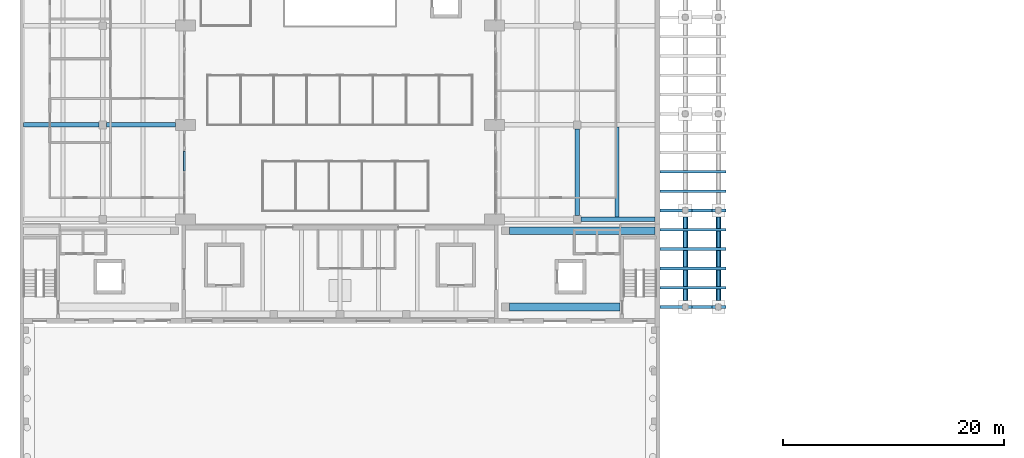
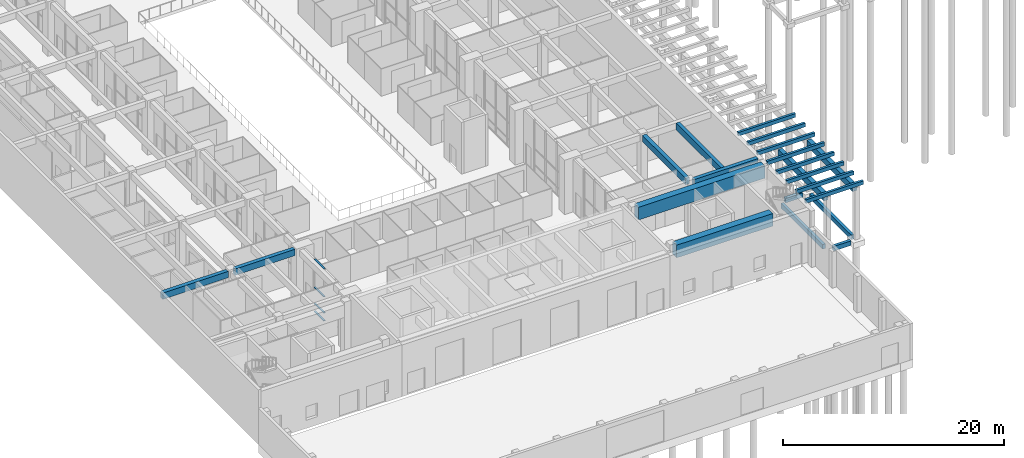
# One storey, part 12 of 51: 21 beams, 4 members, 1 element without a shape of its own.
"""IFC4 building model written with IfcOpenShell, lengths in metres."""

import ifcopenshell
import ifcopenshell.guid

model = None  # the IFC model being written
_history = None  # IfcOwnerHistory: only IFC2X3 demands one
_inside = {}  # id of a spatial element -> (the spatial element, [elements in it])
_under = {}  # id of a project, library or spatial element -> (it, [spatial elements below it])
_declared = {}  # id of a project -> (the project, [libraries it declares])
_typed = {}  # id of a type object -> (the type object, [elements of that type])
_made_of = {}  # id of a material, layer set ... -> (it, [elements and type objects made of it])


def new_model(schema):
    """Start an empty IFC model of exactly this schema.

    Asked for "IFC4X3", IfcOpenShell would pick the latest addendum, in which some entities
    have other attributes; the version numbers below select the first issue.
    IFC2X3 requires an IfcOwnerHistory on every rooted entity: one is made here for all.
    """
    global model, _history
    if schema == "IFC4X3":
        model = ifcopenshell.file(schema_version=(4, 3, 0, 0))
    else:
        model = ifcopenshell.file(schema=schema)
    _inside.clear()
    _under.clear()
    _declared.clear()
    _typed.clear()
    _made_of.clear()
    _history = None
    if model.schema == "IFC2X3":
        org = make("IfcOrganization", Name="unknown")
        user = make(
            "IfcPersonAndOrganization",
            ThePerson=make("IfcPerson", FamilyName="unknown"),
            TheOrganization=org,
        )
        app = make(
            "IfcApplication",
            ApplicationDeveloper=org,
            Version="unknown",
            ApplicationFullName="unknown",
            ApplicationIdentifier="unknown",
        )
        _history = make(
            "IfcOwnerHistory",
            OwningUser=user,
            OwningApplication=app,
            ChangeAction="ADDED",
            CreationDate=0,
        )
    return model


def make(cls, **values):
    """One entity of the class cls with the attributes given. An attribute that is None is left unset."""
    return model.create_entity(
        cls, **{name: value for name, value in values.items() if value is not None}
    )


def rooted(cls, **values):
    """An entity with a GlobalId (a new one), such as an element, a storey or a relation."""
    return make(cls, GlobalId=ifcopenshell.guid.new(), OwnerHistory=_history, **values)


def si_unit(unit_type, name, prefix=None):
    """IfcSIUnit, for example si_unit("LENGTHUNIT", "METRE", prefix="MILLI")."""
    return make("IfcSIUnit", UnitType=unit_type, Prefix=prefix, Name=name)


def assignment(units):
    """IfcUnitAssignment: the units of a project."""
    return None if units is None else make("IfcUnitAssignment", Units=units)


def point(xyz):
    """IfcCartesianPoint."""
    return None if xyz is None else make("IfcCartesianPoint", Coordinates=xyz)


def direction(xyz):
    """IfcDirection."""
    return None if xyz is None else make("IfcDirection", DirectionRatios=xyz)


def frame(location, z_axis=None, x_axis=None):
    """IfcAxis2Placement3D, a coordinate frame: its origin and axes. An axis left out is left unset."""
    return make(
        "IfcAxis2Placement3D",
        Location=point(location),
        Axis=direction(z_axis),
        RefDirection=direction(x_axis),
    )


def frame_2d(location, x_axis=None):
    """IfcAxis2Placement2D, a coordinate frame in the plane: its origin and x axis."""
    return make(
        "IfcAxis2Placement2D", Location=point(location), RefDirection=direction(x_axis)
    )


def origin():
    """The frame at (0, 0, 0) with its axes left unset."""
    return frame((0.0, 0.0, 0.0))


def origin_2d():
    """The frame at (0, 0) in the plane with its x axis left unset."""
    return frame_2d((0.0, 0.0))


def place(relative_to, where):
    """IfcLocalPlacement: puts the frame where relative to a parent placement (None: the world)."""
    return make(
        "IfcLocalPlacement", PlacementRelTo=relative_to, RelativePlacement=where
    )


def context(
    kind, dimensions, precision=None, world=None, true_north=None, identifier=None
):
    """IfcGeometricRepresentationContext, for example the 3D "Model" context."""
    return make(
        "IfcGeometricRepresentationContext",
        ContextIdentifier=identifier,
        ContextType=kind,
        CoordinateSpaceDimension=dimensions,
        Precision=precision,
        WorldCoordinateSystem=world,
        TrueNorth=true_north,
    )


def subcontext(parent, identifier, kind, view, scale=None):
    """IfcGeometricRepresentationSubContext, for example "Body" below "Model"."""
    return make(
        "IfcGeometricRepresentationSubContext",
        ContextIdentifier=identifier,
        ContextType=kind,
        ParentContext=parent,
        TargetScale=scale,
        TargetView=view,
    )


def project(units=None, contexts=None):
    """IfcProject with its units and contexts."""
    return rooted(
        "IfcProject",
        Name="project",
        RepresentationContexts=contexts,
        UnitsInContext=assignment(units),
    )


def spatial(cls, under=None, at=None, **own):
    """A site, building, storey or space (cls), placed at a placement, below another one or the project."""
    s = rooted(cls, ObjectPlacement=at, **own)
    if under is not None:
        _under.setdefault(under.id(), (under, []))[1].append(s)
    return s


def profile(cls, at=None, kind="AREA", **sizes):
    """A parametric profile (cls). Its sizes go by their IFC names, for example OverallWidth=200.0."""
    return make(cls, ProfileType=kind, Position=at, **sizes)


def rectangle(**sizes):
    """IfcRectangleProfileDef."""
    return profile("IfcRectangleProfileDef", **sizes)


def extrude(swept, where, along, depth):
    """IfcExtrudedAreaSolid: the profile swept, set in the frame where, extruded along a direction by depth."""
    return make(
        "IfcExtrudedAreaSolid",
        SweptArea=swept,
        Position=where,
        ExtrudedDirection=direction(along),
        Depth=depth,
    )


def shape(context_of_items, identifier, shape_type, items):
    """IfcShapeRepresentation: the items that make up one representation, for example the "Body"."""
    return make(
        "IfcShapeRepresentation",
        ContextOfItems=context_of_items,
        RepresentationIdentifier=identifier,
        RepresentationType=shape_type,
        Items=items,
    )


def material(Name=None, Category=None):
    """IfcMaterial."""
    return make("IfcMaterial", Name=Name, Category=Category)


def material_profile(
    of_material, cross_section, Name=None, Category=None, Priority=None
):
    """IfcMaterialProfile: a cross section and its material."""
    return make(
        "IfcMaterialProfile",
        Name=Name,
        Material=of_material,
        Profile=cross_section,
        Priority=Priority,
        Category=Category,
    )


def profile_set(profiles, Name=None, composite=None):
    """IfcMaterialProfileSet."""
    return make(
        "IfcMaterialProfileSet",
        Name=Name,
        MaterialProfiles=profiles,
        CompositeProfile=composite,
    )


def made_of(thing, what):
    """Note that an element or type object is made of a material, layer set ...; save() writes the relation."""
    if what is not None:
        _made_of.setdefault(what.id(), (what, []))[1].append(thing)
    return thing


def type_object(cls, material=None, **own):
    """A type object (cls), such as IfcWallType, which elements share."""
    return made_of(rooted(cls, **own), material)


def element(
    cls,
    number,
    at=None,
    inside=None,
    cuts=None,
    type_object=None,
    material=None,
    context=None,
    identifier="Body",
    shape_type=None,
    held_by="IfcProductDefinitionShape",
    body=None,
    shapes=None,
    **own,
):
    """One element of the class cls, such as IfcWall. Its Tag is "e" and its number.

    at: its placement. inside: the storey or other place that contains it. cuts: it is an
    opening in that element (IfcRelVoidsElement). A single representation is given by context,
    identifier, shape_type and body (its items); several are given by shapes. held_by: the class
    of the entity that holds the representations. save() writes the other relations.
    """
    e = rooted(cls, Tag="e%d" % number, ObjectPlacement=at, **own)
    if body is not None:
        shapes = [shape(context, identifier, shape_type, body)]
    if shapes is not None:
        e.Representation = make(held_by, Representations=shapes)
    if inside is not None:
        _inside.setdefault(inside.id(), (inside, []))[1].append(e)
    if cuts is not None:
        rooted(
            "IfcRelVoidsElement", RelatingBuildingElement=cuts, RelatedOpeningElement=e
        )
    if type_object is not None:
        _typed.setdefault(type_object.id(), (type_object, []))[1].append(e)
    return made_of(e, material)


def aggregate(whole, parts):
    """IfcRelAggregates: a whole, such as a stair, and the parts it consists of."""
    return rooted("IfcRelAggregates", RelatingObject=whole, RelatedObjects=parts)


def save(model, path):
    """Write the relations noted so far, then the file.

    IfcRelAggregates (storeys below a building ...), IfcRelContainedInSpatialStructure (elements
    in a storey), IfcRelDefinesByType, IfcRelAssociatesMaterial and IfcRelDeclares: one each for
    every whole, place, type object, material and project.
    """
    for whole, parts in _under.values():
        aggregate(whole, parts)
    for where, things in _inside.values():
        rooted(
            "IfcRelContainedInSpatialStructure",
            RelatedElements=things,
            RelatingStructure=where,
        )
    for kind, things in _typed.values():
        rooted("IfcRelDefinesByType", RelatedObjects=things, RelatingType=kind)
    for what, things in _made_of.values():
        rooted("IfcRelAssociatesMaterial", RelatedObjects=things, RelatingMaterial=what)
    for by, libraries in _declared.values():
        rooted("IfcRelDeclares", RelatingContext=by, RelatedDefinitions=libraries)
    model.write(path)


model = new_model("IFC4")

# Units and contexts
model_context = context("Model", 3, precision=1e-05, world=origin(), true_north=direction((0.0, 1.0)))
body_context = subcontext(model_context, "Body", "Model", "MODEL_VIEW")
ifc_project = project(units=[si_unit("LENGTHUNIT", "METRE"), si_unit("AREAUNIT", "SQUARE_METRE"), si_unit("VOLUMEUNIT", "CUBIC_METRE"), si_unit("PLANEANGLEUNIT", "RADIAN"), si_unit("MASSUNIT", "GRAM", prefix="KILO")], contexts=[model_context])

# Site, building, storey
site_placement = place(None, origin())
site = spatial("IfcSite", under=ifc_project, at=site_placement, CompositionType="ELEMENT")
building_placement = place(site_placement, origin())
building = spatial("IfcBuilding", under=site, at=building_placement, Name="Elmora Arch Market Hall", CompositionType="ELEMENT")
storey_placement = place(building_placement, origin())
storey = spatial("IfcBuildingStorey", under=building, at=storey_placement, Name="L00", CompositionType="ELEMENT", Elevation=0.0)

# Beams
ifc_material_1 = material(Name="Concrete C32/40", Category="concrete")
ifc_material_profile_1 = material_profile(ifc_material_1, rectangle(XDim=0.25, YDim=0.39990234375, at=origin_2d()), Name="Canopy joist 250x400")
ifc_profile_set_1 = profile_set([ifc_material_profile_1], Name="Concrete C32/40")
beam_type_1 = type_object("IfcBeamType", Name="Canopy joist 250x400", PredefinedType="JOIST", material=ifc_profile_set_1)
for number, where, z_axis, x_axis, name in (
    (1, (58.0, 19.5, 5.64990234375), (1.0, 0.0, 0.0), (0.0, 1.0, 0.0), "Canopy joist PE-J1 L00.1"),
    (2, (58.0, 21.25, 5.64990234375), (1.0, 0.0, 0.0), (0.0, 1.0, 0.0), "Canopy joist PE-J2 L00.1"),
    (3, (58.0, 23.0, 5.64990234375), (1.0, 0.0, 0.0), (0.0, 1.0, 0.0), "Canopy joist PE-J3 L00.1"),
    (4, (58.0, 24.75, 5.64990234375), (1.0, 0.0, 0.0), (0.0, 1.0, 0.0), "Canopy joist PE-J4 L00.1"),
    (5, (58.0, 26.5, 5.64990234375), (1.0, 0.0, 0.0), (0.0, 1.0, 0.0), "Canopy joist PE-J5 L00.1"),
    (6, (58.0, 28.25, 5.64990234375), (1.0, 0.0, 0.0), (0.0, 1.0, 0.0), "Canopy joist PE-J6 L00.1"),
    (7, (58.0, 30.0, 5.64990234375), (1.0, 0.0, 0.0), (0.0, 1.0, 0.0), "Canopy joist PE-J7 L00.1"),
    (8, (58.0, 31.75, 5.64990234375), (1.0, 0.0, 0.0), (0.0, 1.0, 0.0), "Canopy joist PE-J8 L00.1"),
):
    element("IfcBeam", number, at=place(storey_placement, frame(where, z_axis=z_axis, x_axis=x_axis)), inside=storey, type_object=beam_type_1, Name=name, PredefinedType="JOIST", context=body_context, shape_type="SweptSolid", body=[
        extrude(rectangle(XDim=0.25, YDim=0.39990234375, at=origin_2d()), origin(), (0.0, 0.0, 1.0), 6.0),
    ])
ifc_material_2 = material(Name="Concrete C32/40", Category="concrete")
ifc_material_profile_2 = material_profile(ifc_material_2, rectangle(XDim=0.699951171875, YDim=1.39990234375, at=origin_2d()), Name="Corner block girder 700x1400")
ifc_profile_set_2 = profile_set([ifc_material_profile_2], Name="Concrete C32/40")
beam_type_2 = type_object("IfcBeamType", Name="Corner block girder 700x1400", PredefinedType="BEAM", material=ifc_profile_set_2)
beam_1_placement = place(storey_placement, frame((44.35009765625, 19.5, 5.050048828125), z_axis=(1.0, 0.0, 0.0), x_axis=(0.0, 1.0, 0.0)))
element("IfcBeam", 9, at=beam_1_placement, inside=storey, type_object=beam_type_2, Name="Corner block girder SER1 L00.1", PredefinedType="BEAM", context=body_context, shape_type="SweptSolid", body=[
    extrude(rectangle(XDim=0.699951171875, YDim=1.39990234375, at=origin_2d()), origin(), (0.0, 0.0, 1.0), 10.0498046875),
])
beam_2_placement = place(storey_placement, frame((44.35009765625, 26.39990234375, 5.050048828125), z_axis=(1.0, 0.0, 0.0), x_axis=(0.0, 1.0, 0.0)))
element("IfcBeam", 10, at=beam_2_placement, inside=storey, type_object=beam_type_2, Name="Corner block girder SER2 L00.1", PredefinedType="BEAM", context=body_context, shape_type="SweptSolid", body=[
    extrude(rectangle(XDim=0.699951171875, YDim=1.39990234375, at=origin_2d()), origin(), (0.0, 0.0, 1.0), 13.199951171875),
])
ifc_material_3 = material(Name="Concrete C32/40", Category="concrete")
ifc_material_profile_3 = material_profile(ifc_material_3, rectangle(XDim=0.300048828125, YDim=0.5, at=origin_2d()), Name="Pad tie beam 300x500")
ifc_profile_set_3 = profile_set([ifc_material_profile_3], Name="Concrete C32/40")
beam_type_3 = type_object("IfcBeamType", Name="Pad tie beam 300x500", PredefinedType="BEAM", material=ifc_profile_set_3)
for number, where, z_axis, x_axis, name in (
    (11, (60.89990234375, 19.5, -0.550048828125), (1.0, 0.0, 0.0), (0.0, 1.0, 0.0), "Pad tie beam 033"),
    (12, (60.89990234375, 28.25, -0.550048828125), (1.0, 0.0, 0.0), (0.0, 1.0, 0.0), "Pad tie beam 034"),
):
    element("IfcBeam", number, at=place(storey_placement, frame(where, z_axis=z_axis, x_axis=x_axis)), inside=storey, type_object=beam_type_3, Name=name, PredefinedType="BEAM", context=body_context, shape_type="SweptSolid", body=[
        extrude(rectangle(XDim=0.300048828125, YDim=0.5, at=origin_2d()), origin(), (0.0, 0.0, 1.0), 1.800048828125),
    ])
for number, where, z_axis, x_axis, name in (
    (13, (60.300048828125, 20.10009765625, -0.550048828125), (0.0, 1.0, 0.0), (-1.0, 0.0, 0.0), "Pad tie beam 046"),
    (14, (63.300048828125, 20.10009765625, -0.550048828125), (0.0, 1.0, 0.0), (-1.0, 0.0, 0.0), "Pad tie beam 058"),
):
    element("IfcBeam", number, at=place(storey_placement, frame(where, z_axis=z_axis, x_axis=x_axis)), inside=storey, type_object=beam_type_3, Name=name, PredefinedType="BEAM", context=body_context, shape_type="SweptSolid", body=[
        extrude(rectangle(XDim=0.300048828125, YDim=0.5, at=origin_2d()), origin(), (0.0, 0.0, 1.0), 7.5498046875),
    ])
ifc_material_4 = material(Name="Concrete C32/40", Category="concrete")
ifc_material_profile_4 = material_profile(ifc_material_4, rectangle(XDim=0.449951171875, YDim=0.699951171875, at=origin_2d()), Name="Passage girder 450x700")
ifc_profile_set_4 = profile_set([ifc_material_profile_4], Name="Concrete C32/40")
beam_type_4 = type_object("IfcBeamType", Name="Passage girder 450x700", PredefinedType="BEAM", material=ifc_profile_set_4)
for number, where, z_axis, x_axis, name in (
    (15, (60.300048828125, 19.75, 5.10009765625), (0.0, 1.0, 0.0), (-1.0, 0.0, 0.0), "Passage girder PASS-E-G1 L00.1"),
    (16, (63.300048828125, 19.75, 5.10009765625), (0.0, 1.0, 0.0), (-1.0, 0.0, 0.0), "Passage girder PASS-E-G2 L00.1"),
):
    element("IfcBeam", number, at=place(storey_placement, frame(where, z_axis=z_axis, x_axis=x_axis)), inside=storey, type_object=beam_type_4, Name=name, PredefinedType="BEAM", context=body_context, shape_type="SweptSolid", body=[
        extrude(rectangle(XDim=0.449951171875, YDim=0.699951171875, at=origin_2d()), origin(), (0.0, 0.0, 1.0), 8.25),
    ])

# Curtain wall, members
ifc_material_5 = material(Name="Aluminium", Category="aluminium")
curtain_wall_type = type_object("IfcCurtainWallType", Name="Shopfront curtain wall", PredefinedType="NOTDEFINED", material=ifc_material_5)
curtain_wall_placement = place(storey_placement, origin())
curtain_wall = element("IfcCurtainWall", 17, at=curtain_wall_placement, inside=storey, type_object=curtain_wall_type, Name="Shopfront W 1", PredefinedType="NOTDEFINED")
ifc_material_6 = material(Name="Aluminium", Category="aluminium")
ifc_material_profile_5 = material_profile(ifc_material_6, rectangle(XDim=0.179931640625, YDim=0.074951171875, at=origin_2d()), Name="AL 180x75")
ifc_profile_set_5 = profile_set([ifc_material_profile_5], Name="Aluminium")
member_type = type_object("IfcMemberType", Name="Transom 180x75", PredefinedType="USERDEFINED", material=ifc_profile_set_5)
member_1_placement = place(storey_placement, frame((14.89990234375, 31.833251953125, 0.03759765625), z_axis=(0.0, 1.0, 0.0), x_axis=(-1.0, 0.0, 0.0)))
member_1 = element("IfcMember", 18, at=member_1_placement, type_object=member_type, Name="CW3 transom 3.1", ObjectType="TRANSOM", PredefinedType="USERDEFINED", context=body_context, shape_type="SweptSolid", body=[
    extrude(rectangle(XDim=0.179931640625, YDim=0.074951171875, at=origin_2d()), origin(), (0.0, 0.0, 1.0), 1.766845703125),
])
member_2_placement = place(storey_placement, frame((14.89990234375, 31.833251953125, 0.89990234375), z_axis=(0.0, 1.0, 0.0), x_axis=(-1.0, 0.0, 0.0)))
member_2 = element("IfcMember", 19, at=member_2_placement, type_object=member_type, Name="CW3 transom 3.2", ObjectType="TRANSOM", PredefinedType="USERDEFINED", context=body_context, shape_type="SweptSolid", body=[
    extrude(rectangle(XDim=0.179931640625, YDim=0.074951171875, at=origin_2d()), origin(), (0.0, 0.0, 1.0), 1.766845703125),
])
member_3_placement = place(storey_placement, frame((14.89990234375, 31.833251953125, 2.699951171875), z_axis=(0.0, 1.0, 0.0), x_axis=(-1.0, 0.0, 0.0)))
member_3 = element("IfcMember", 20, at=member_3_placement, type_object=member_type, Name="CW3 transom 3.3", ObjectType="TRANSOM", PredefinedType="USERDEFINED", context=body_context, shape_type="SweptSolid", body=[
    extrude(rectangle(XDim=0.179931640625, YDim=0.074951171875, at=origin_2d()), origin(), (0.0, 0.0, 1.0), 1.766845703125),
])
member_4_placement = place(storey_placement, frame((14.89990234375, 31.833251953125, 5.762451171875), z_axis=(0.0, 1.0, 0.0), x_axis=(-1.0, 0.0, 0.0)))
member_4 = element("IfcMember", 21, at=member_4_placement, type_object=member_type, Name="CW3 transom 3.4", ObjectType="TRANSOM", PredefinedType="USERDEFINED", context=body_context, shape_type="SweptSolid", body=[
    extrude(rectangle(XDim=0.179931640625, YDim=0.074951171875, at=origin_2d()), origin(), (0.0, 0.0, 1.0), 1.766845703125),
])
aggregate(curtain_wall, [member_1, member_2, member_3, member_4])

# Beams
ifc_material_7 = material(Name="Concrete C32/40", Category="concrete")
ifc_material_profile_6 = material_profile(ifc_material_7, rectangle(XDim=0.39990234375, YDim=0.699951171875, at=origin_2d()), Name="Wing beam 400x700")
ifc_profile_set_6 = profile_set([ifc_material_profile_6], Name="Concrete C32/40")
beam_type_5 = type_object("IfcBeamType", Name="Wing beam 400x700", PredefinedType="BEAM", material=ifc_profile_set_6)
beam_3_placement = place(storey_placement, frame((0.300048828125, 36.0, 5.449951171875), z_axis=(1.0, 0.0, 0.0), x_axis=(0.0, 1.0, 0.0)))
element("IfcBeam", 22, at=beam_3_placement, inside=storey, type_object=beam_type_5, Name="Wing beam WR2 L00.1", PredefinedType="BEAM", context=body_context, shape_type="SweptSolid", body=[
    extrude(rectangle(XDim=0.39990234375, YDim=0.699951171875, at=origin_2d()), origin(), (0.0, 0.0, 1.0), 6.849853515625),
])
beam_4_placement = place(storey_placement, frame((7.85009765625, 36.0, 5.449951171875), z_axis=(1.0, 0.0, 0.0), x_axis=(0.0, 1.0, 0.0)))
element("IfcBeam", 23, at=beam_4_placement, inside=storey, type_object=beam_type_5, Name="Wing beam WR2 L00.2", PredefinedType="BEAM", context=body_context, shape_type="SweptSolid", body=[
    extrude(rectangle(XDim=0.39990234375, YDim=0.699951171875, at=origin_2d()), origin(), (0.0, 0.0, 1.0), 6.25),
])
beam_5_placement = place(storey_placement, frame((50.85009765625, 27.449951171875, 5.449951171875), z_axis=(1.0, 0.0, 0.0), x_axis=(0.0, 1.0, 0.0)))
element("IfcBeam", 24, at=beam_5_placement, inside=storey, type_object=beam_type_5, Name="Wing beam ER1 L00.2", PredefinedType="BEAM", context=body_context, shape_type="SweptSolid", body=[
    extrude(rectangle(XDim=0.39990234375, YDim=0.699951171875, at=origin_2d()), origin(), (0.0, 0.0, 1.0), 6.699951171875),
])
beam_6_placement = place(storey_placement, frame((50.5, 27.800048828125, 5.449951171875), z_axis=(0.0, 1.0, 0.0), x_axis=(-1.0, 0.0, 0.0)))
element("IfcBeam", 25, at=beam_6_placement, inside=storey, type_object=beam_type_5, Name="Wing beam EG L00.1", PredefinedType="BEAM", context=body_context, shape_type="SweptSolid", body=[
    extrude(rectangle(XDim=0.39990234375, YDim=0.699951171875, at=origin_2d()), origin(), (0.0, 0.0, 1.0), 7.849853515625),
])
ifc_material_8 = material(Name="Concrete C32/40", Category="concrete")
ifc_material_profile_7 = material_profile(ifc_material_8, rectangle(XDim=0.35009765625, YDim=0.75, at=origin_2d()), Name="Wing joist 350x750")
ifc_profile_set_7 = profile_set([ifc_material_profile_7], Name="Concrete C32/40")
beam_type_6 = type_object("IfcBeamType", Name="Wing joist 350x750", PredefinedType="JOIST", material=ifc_profile_set_7)
beam_7_placement = place(storey_placement, frame((54.10009765625, 27.64990234375, 5.425048828125), z_axis=(0.0, 1.0, 0.0), x_axis=(-1.0, 0.0, 0.0)))
element("IfcBeam", 26, at=beam_7_placement, inside=storey, type_object=beam_type_6, Name="Wing joist EJ2 L00.1", PredefinedType="JOIST", context=body_context, shape_type="SweptSolid", body=[
    extrude(rectangle(XDim=0.35009765625, YDim=0.75, at=origin_2d()), origin(), (0.0, 0.0, 1.0), 8.150146484375),
])

save(model, "model.ifc")
